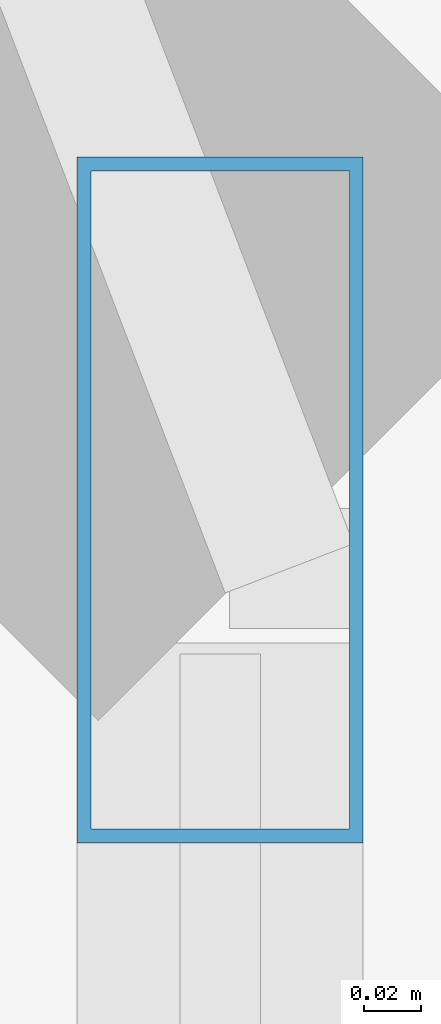
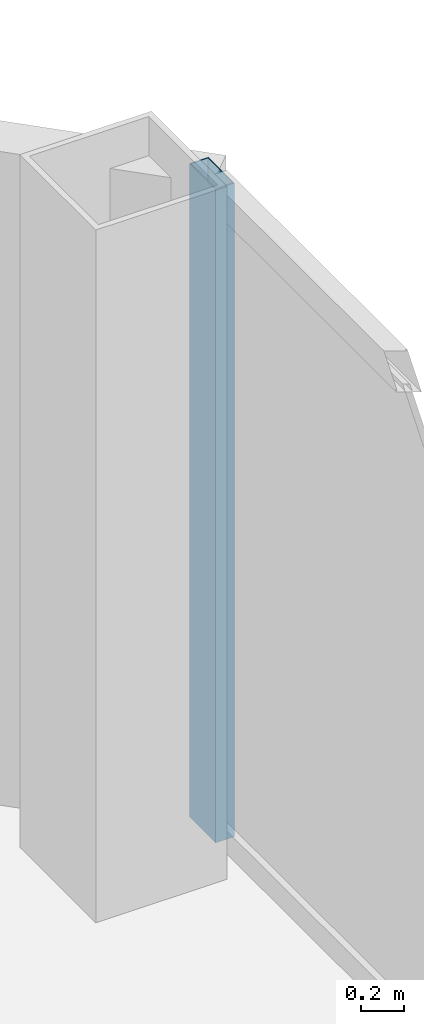
# One storey, part 14 of 29: 1 member, 1 element without a shape of its own.
"""IFC4 building model written with IfcOpenShell, lengths in metres."""

from ifc_helpers import new_model, si_unit, direction, frame, origin, origin_2d, place, context, subcontext, project, spatial, hollow_rectangle, extrude, material, layer, layer_set, material_profile, profile_set, type_object, element, aggregate, save


model = new_model("IFC4")

# Units and contexts
model_context = context("Model", 3, precision=1e-05, world=origin(), true_north=direction((0.0, 1.0)))
body_context = subcontext(model_context, "Body", "Model", "MODEL_VIEW")
ifc_project = project(units=[si_unit("LENGTHUNIT", "METRE"), si_unit("AREAUNIT", "SQUARE_METRE"), si_unit("VOLUMEUNIT", "CUBIC_METRE"), si_unit("PLANEANGLEUNIT", "RADIAN"), si_unit("MASSUNIT", "GRAM", prefix="KILO")], contexts=[model_context])

# Site, building, storey
site_placement = place(None, origin())
site = spatial("IfcSite", under=ifc_project, at=site_placement, CompositionType="ELEMENT")
building_placement = place(site_placement, origin())
building = spatial("IfcBuilding", under=site, at=building_placement, Name="Khorvyn Point Tower", CompositionType="ELEMENT")
storey_placement = place(building_placement, frame((0.0, 0.0, 144.60009765625)))
storey = spatial("IfcBuildingStorey", under=building, at=storey_placement, Name="L36", CompositionType="ELEMENT", Elevation=144.60009765625)

# Curtain wall, member
ifc_material_1 = material(Name="Anodised aluminium 6063-T6 and laminated Low-E glass", Category="aluminium")
ifc_layer = layer(ifc_material_1, 0.18994140625)
ifc_layer_set = layer_set([ifc_layer], Name="Stick-Built Acoustic Curtain Wall CW-SYS-03")
curtain_wall_type = type_object("IfcCurtainWallType", Name="Stick-Built Acoustic Curtain Wall CW-SYS-03", PredefinedType="NOTDEFINED", material=ifc_layer_set)
curtain_wall_placement = place(storey_placement, origin())
curtain_wall = element("IfcCurtainWall", 1, at=curtain_wall_placement, inside=storey, type_object=curtain_wall_type, Name="Curtain Wall", PredefinedType="NOTDEFINED")
ifc_material_2 = material(Name="Anodised aluminium 6063-T6", Category="aluminium")
ifc_material_profile = material_profile(ifc_material_2, hollow_rectangle(XDim=0.10009765625, YDim=0.239990234375, WallThickness=0.0048828125, at=origin_2d()))
ifc_profile_set = profile_set([ifc_material_profile], Name="Anodised aluminium 6063-T6 ALU-MUL-100x240")
member_type = type_object("IfcMemberType", Name="Anodised Aluminium 6063-T6 Mullion ALU-MUL-100x240", PredefinedType="MULLION", material=ifc_profile_set)
member_placement = place(storey_placement, frame((27.550048828125, 19.199951171875, 0.0), z_axis=(0.0, 0.0, 1.0), x_axis=(1.0, 0.0, 0.0)))
member = element("IfcMember", 2, at=member_placement, type_object=member_type, Name="Transom", PredefinedType="MULLION", context=body_context, shape_type="SweptSolid", body=[
    extrude(hollow_rectangle(XDim=0.10009765625, YDim=0.239990234375, WallThickness=0.0048828125, at=origin_2d()), origin(), (0.0, 0.0, 1.0), 3.679931640625),
])
aggregate(curtain_wall, [member])

save(model, "model.ifc")
